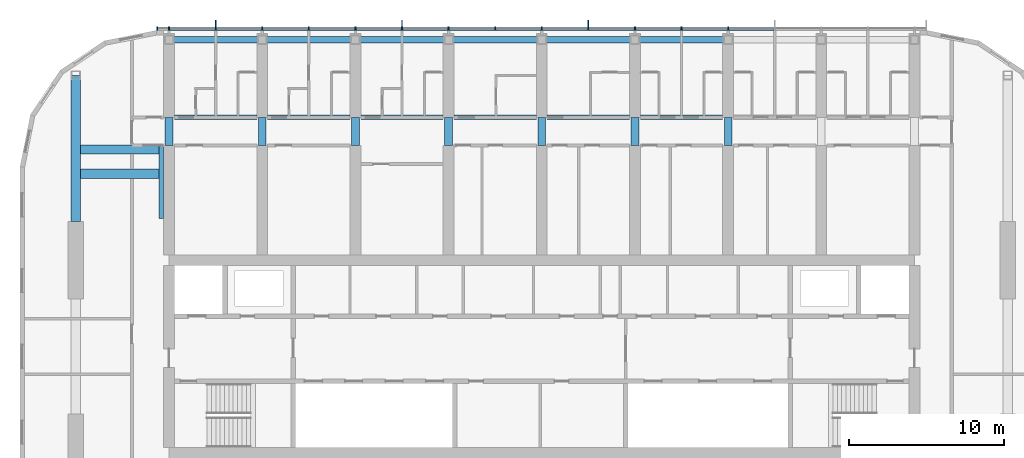
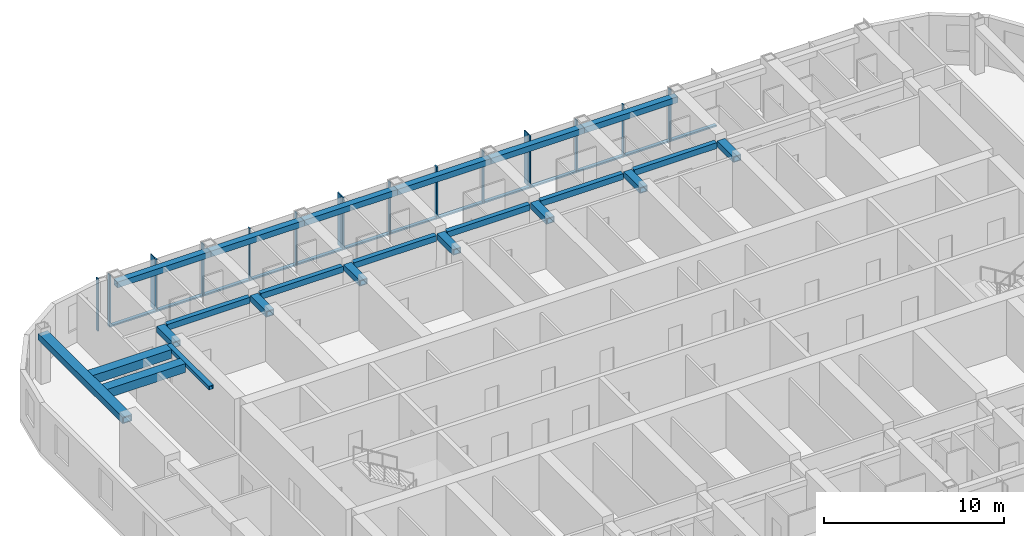
# One storey, part 4 of 24: 30 members, 23 beams, 1 element without a shape of its own.
"""IFC4 building model written with IfcOpenShell, lengths in metres."""

from ifc_helpers import new_model, si_unit, direction, frame, origin, origin_2d, place, context, subcontext, project, spatial, rectangle, hollow_rectangle, extrude, material, material_profile, profile_set, type_object, element, aggregate, save


model = new_model("IFC4")

# Units and contexts
model_context = context("Model", 3, precision=1e-05, world=origin(), true_north=direction((0.0, 1.0)))
body_context = subcontext(model_context, "Body", "Model", "MODEL_VIEW")
ifc_project = project(units=[si_unit("LENGTHUNIT", "METRE"), si_unit("AREAUNIT", "SQUARE_METRE"), si_unit("VOLUMEUNIT", "CUBIC_METRE"), si_unit("PLANEANGLEUNIT", "RADIAN"), si_unit("MASSUNIT", "GRAM", prefix="KILO")], contexts=[model_context])

# Site, building, storey
site_placement = place(None, origin())
site = spatial("IfcSite", under=ifc_project, at=site_placement, CompositionType="ELEMENT")
building_placement = place(site_placement, origin())
building = spatial("IfcBuilding", under=site, at=building_placement, Name="Orbita Commons", CompositionType="ELEMENT")
storey_placement = place(building_placement, frame((0.0, 0.0, 242.800048828125)))
storey = spatial("IfcBuildingStorey", under=building, at=storey_placement, Name="L60", CompositionType="ELEMENT", Elevation=242.800048828125)

# Curtain wall, members
ifc_material_1 = material(Name="Anodised aluminium frame, pale silver", Category="aluminium")
curtain_wall_type = type_object("IfcCurtainWallType", Name="Unitised curtain wall CW-U, full-height vision", PredefinedType="NOTDEFINED", material=ifc_material_1)
curtain_wall_placement = place(storey_placement, origin())
curtain_wall = element("IfcCurtainWall", 1, at=curtain_wall_placement, inside=storey, type_object=curtain_wall_type, Name="Curtain wall north L60", PredefinedType="NOTDEFINED")
ifc_material_2 = material(Name="Anodised aluminium, pale silver", Category="aluminium")
ifc_material_profile_1 = material_profile(ifc_material_2, rectangle(XDim=0.080078125, YDim=0.219970703125, at=origin_2d()), Name="AL 80x220")
ifc_profile_set_1 = profile_set([ifc_material_profile_1], Name="Anodised aluminium, pale silver")
member_type_1 = type_object("IfcMemberType", Name="Curtain wall mullion 80x220", PredefinedType="MULLION", material=ifc_profile_set_1)
member_1_placement = place(storey_placement, frame((54.0, 53.110107421875, -0.25), z_axis=(0.0, 0.0, 1.0), x_axis=(-1.0, 0.0, 0.0)))
member_1 = element("IfcMember", 2, at=member_1_placement, type_object=member_type_1, Name="Mullion 6 CW-L60-N", PredefinedType="MULLION", context=body_context, shape_type="SweptSolid", body=[
    extrude(rectangle(XDim=0.080078125, YDim=0.219970703125, at=origin_2d()), origin(), (0.0, 0.0, 1.0), 3.550048828125),
])
member_2_placement = place(storey_placement, frame((51.0, 53.110107421875, -0.25), z_axis=(0.0, 0.0, 1.0), x_axis=(-1.0, 0.0, 0.0)))
member_2 = element("IfcMember", 3, at=member_2_placement, type_object=member_type_1, Name="Mullion 7 CW-L60-N", PredefinedType="MULLION", context=body_context, shape_type="SweptSolid", body=[
    extrude(rectangle(XDim=0.080078125, YDim=0.219970703125, at=origin_2d()), origin(), (0.0, 0.0, 1.0), 3.550048828125),
])
member_3_placement = place(storey_placement, frame((48.0, 53.110107421875, -0.25), z_axis=(0.0, 0.0, 1.0), x_axis=(-1.0, 0.0, 0.0)))
member_3 = element("IfcMember", 4, at=member_3_placement, type_object=member_type_1, Name="Mullion 8 CW-L60-N", PredefinedType="MULLION", context=body_context, shape_type="SweptSolid", body=[
    extrude(rectangle(XDim=0.080078125, YDim=0.219970703125, at=origin_2d()), origin(), (0.0, 0.0, 1.0), 3.550048828125),
])
member_4_placement = place(storey_placement, frame((45.0, 53.110107421875, -0.25), z_axis=(0.0, 0.0, 1.0), x_axis=(-1.0, 0.0, 0.0)))
member_4 = element("IfcMember", 5, at=member_4_placement, type_object=member_type_1, Name="Mullion 9 CW-L60-N", PredefinedType="MULLION", context=body_context, shape_type="SweptSolid", body=[
    extrude(rectangle(XDim=0.080078125, YDim=0.219970703125, at=origin_2d()), origin(), (0.0, 0.0, 1.0), 3.550048828125),
])
member_5_placement = place(storey_placement, frame((42.0, 53.110107421875, -0.25), z_axis=(0.0, 0.0, 1.0), x_axis=(-1.0, 0.0, 0.0)))
member_5 = element("IfcMember", 6, at=member_5_placement, type_object=member_type_1, Name="Mullion 10 CW-L60-N", PredefinedType="MULLION", context=body_context, shape_type="SweptSolid", body=[
    extrude(rectangle(XDim=0.080078125, YDim=0.219970703125, at=origin_2d()), origin(), (0.0, 0.0, 1.0), 3.550048828125),
])
member_6_placement = place(storey_placement, frame((39.0, 53.110107421875, -0.25), z_axis=(0.0, 0.0, 1.0), x_axis=(-1.0, 0.0, 0.0)))
member_6 = element("IfcMember", 7, at=member_6_placement, type_object=member_type_1, Name="Mullion 11 CW-L60-N", PredefinedType="MULLION", context=body_context, shape_type="SweptSolid", body=[
    extrude(rectangle(XDim=0.080078125, YDim=0.219970703125, at=origin_2d()), origin(), (0.0, 0.0, 1.0), 3.550048828125),
])
member_7_placement = place(storey_placement, frame((36.0, 53.110107421875, -0.25), z_axis=(0.0, 0.0, 1.0), x_axis=(-1.0, 0.0, 0.0)))
member_7 = element("IfcMember", 8, at=member_7_placement, type_object=member_type_1, Name="Mullion 12 CW-L60-N", PredefinedType="MULLION", context=body_context, shape_type="SweptSolid", body=[
    extrude(rectangle(XDim=0.080078125, YDim=0.219970703125, at=origin_2d()), origin(), (0.0, 0.0, 1.0), 3.550048828125),
])
member_8_placement = place(storey_placement, frame((33.0, 53.110107421875, -0.25), z_axis=(0.0, 0.0, 1.0), x_axis=(-1.0, 0.0, 0.0)))
member_8 = element("IfcMember", 9, at=member_8_placement, type_object=member_type_1, Name="Mullion 13 CW-L60-N", PredefinedType="MULLION", context=body_context, shape_type="SweptSolid", body=[
    extrude(rectangle(XDim=0.080078125, YDim=0.219970703125, at=origin_2d()), origin(), (0.0, 0.0, 1.0), 3.550048828125),
])
member_9_placement = place(storey_placement, frame((30.0, 53.110107421875, -0.25), z_axis=(0.0, 0.0, 1.0), x_axis=(-1.0, 0.0, 0.0)))
member_9 = element("IfcMember", 10, at=member_9_placement, type_object=member_type_1, Name="Mullion 14 CW-L60-N", PredefinedType="MULLION", context=body_context, shape_type="SweptSolid", body=[
    extrude(rectangle(XDim=0.080078125, YDim=0.219970703125, at=origin_2d()), origin(), (0.0, 0.0, 1.0), 3.550048828125),
])
member_10_placement = place(storey_placement, frame((27.0, 53.110107421875, -0.25), z_axis=(0.0, 0.0, 1.0), x_axis=(-1.0, 0.0, 0.0)))
member_10 = element("IfcMember", 11, at=member_10_placement, type_object=member_type_1, Name="Mullion 15 CW-L60-N", PredefinedType="MULLION", context=body_context, shape_type="SweptSolid", body=[
    extrude(rectangle(XDim=0.080078125, YDim=0.219970703125, at=origin_2d()), origin(), (0.0, 0.0, 1.0), 3.550048828125),
])
member_11_placement = place(storey_placement, frame((24.0, 53.110107421875, -0.25), z_axis=(0.0, 0.0, 1.0), x_axis=(-1.0, 0.0, 0.0)))
member_11 = element("IfcMember", 12, at=member_11_placement, type_object=member_type_1, Name="Mullion 16 CW-L60-N", PredefinedType="MULLION", context=body_context, shape_type="SweptSolid", body=[
    extrude(rectangle(XDim=0.080078125, YDim=0.219970703125, at=origin_2d()), origin(), (0.0, 0.0, 1.0), 3.550048828125),
])
member_12_placement = place(storey_placement, frame((21.0, 53.110107421875, -0.25), z_axis=(0.0, 0.0, 1.0), x_axis=(-1.0, 0.0, 0.0)))
member_12 = element("IfcMember", 13, at=member_12_placement, type_object=member_type_1, Name="Mullion 17 CW-L60-N", PredefinedType="MULLION", context=body_context, shape_type="SweptSolid", body=[
    extrude(rectangle(XDim=0.080078125, YDim=0.219970703125, at=origin_2d()), origin(), (0.0, 0.0, 1.0), 3.550048828125),
])
member_13_placement = place(storey_placement, frame((18.0, 53.110107421875, -0.25), z_axis=(0.0, 0.0, 1.0), x_axis=(-1.0, 0.0, 0.0)))
member_13 = element("IfcMember", 14, at=member_13_placement, type_object=member_type_1, Name="Mullion 18 CW-L60-N", PredefinedType="MULLION", context=body_context, shape_type="SweptSolid", body=[
    extrude(rectangle(XDim=0.080078125, YDim=0.219970703125, at=origin_2d()), origin(), (0.0, 0.0, 1.0), 3.550048828125),
])
member_14_placement = place(storey_placement, frame((17.239990234375, 53.110107421875, -0.25), z_axis=(0.0, 0.0, 1.0), x_axis=(-1.0, 0.0, 0.0)))
member_14 = element("IfcMember", 15, at=member_14_placement, type_object=member_type_1, Name="Mullion 19 CW-L60-N", PredefinedType="MULLION", context=body_context, shape_type="SweptSolid", body=[
    extrude(rectangle(XDim=0.080078125, YDim=0.219970703125, at=origin_2d()), origin(), (0.0, 0.0, 1.0), 3.550048828125),
])
ifc_material_3 = material(Name="Anodised aluminium, pale silver", Category="aluminium")
ifc_material_profile_2 = material_profile(ifc_material_3, rectangle(XDim=0.219970703125, YDim=0.10009765625, at=origin_2d()), Name="AL 220x100")
ifc_profile_set_2 = profile_set([ifc_material_profile_2], Name="Anodised aluminium, pale silver")
member_type_2 = type_object("IfcMemberType", Name="Curtain wall stack transom 220x100", PredefinedType="USERDEFINED", material=ifc_profile_set_2)
member_15_placement = place(storey_placement, frame((56.9599609375, 53.110107421875, -0.199951171875), z_axis=(-1.0, 0.0, 0.0), x_axis=(0.0, -1.0, 0.0)))
member_15 = element("IfcMember", 16, at=member_15_placement, type_object=member_type_2, Name="Transom 5.1 CW-L60-N", ObjectType="TRANSOM", PredefinedType="USERDEFINED", context=body_context, shape_type="SweptSolid", body=[
    extrude(rectangle(XDim=0.219970703125, YDim=0.10009765625, at=origin_2d()), origin(), (0.0, 0.0, 1.0), 2.919921875),
])
member_16_placement = place(storey_placement, frame((53.9599609375, 53.110107421875, -0.199951171875), z_axis=(-1.0, 0.0, 0.0), x_axis=(0.0, -1.0, 0.0)))
member_16 = element("IfcMember", 17, at=member_16_placement, type_object=member_type_2, Name="Transom 6.1 CW-L60-N", ObjectType="TRANSOM", PredefinedType="USERDEFINED", context=body_context, shape_type="SweptSolid", body=[
    extrude(rectangle(XDim=0.219970703125, YDim=0.10009765625, at=origin_2d()), origin(), (0.0, 0.0, 1.0), 2.919921875),
])
member_17_placement = place(storey_placement, frame((50.9599609375, 53.110107421875, -0.199951171875), z_axis=(-1.0, 0.0, 0.0), x_axis=(0.0, -1.0, 0.0)))
member_17 = element("IfcMember", 18, at=member_17_placement, type_object=member_type_2, Name="Transom 7.1 CW-L60-N", ObjectType="TRANSOM", PredefinedType="USERDEFINED", context=body_context, shape_type="SweptSolid", body=[
    extrude(rectangle(XDim=0.219970703125, YDim=0.10009765625, at=origin_2d()), origin(), (0.0, 0.0, 1.0), 2.919921875),
])
member_18_placement = place(storey_placement, frame((47.9599609375, 53.110107421875, -0.199951171875), z_axis=(-1.0, 0.0, 0.0), x_axis=(0.0, -1.0, 0.0)))
member_18 = element("IfcMember", 19, at=member_18_placement, type_object=member_type_2, Name="Transom 8.1 CW-L60-N", ObjectType="TRANSOM", PredefinedType="USERDEFINED", context=body_context, shape_type="SweptSolid", body=[
    extrude(rectangle(XDim=0.219970703125, YDim=0.10009765625, at=origin_2d()), origin(), (0.0, 0.0, 1.0), 2.919921875),
])
member_19_placement = place(storey_placement, frame((44.9599609375, 53.110107421875, -0.199951171875), z_axis=(-1.0, 0.0, 0.0), x_axis=(0.0, -1.0, 0.0)))
member_19 = element("IfcMember", 20, at=member_19_placement, type_object=member_type_2, Name="Transom 9.1 CW-L60-N", ObjectType="TRANSOM", PredefinedType="USERDEFINED", context=body_context, shape_type="SweptSolid", body=[
    extrude(rectangle(XDim=0.219970703125, YDim=0.10009765625, at=origin_2d()), origin(), (0.0, 0.0, 1.0), 2.919921875),
])
member_20_placement = place(storey_placement, frame((41.9599609375, 53.110107421875, -0.199951171875), z_axis=(-1.0, 0.0, 0.0), x_axis=(0.0, -1.0, 0.0)))
member_20 = element("IfcMember", 21, at=member_20_placement, type_object=member_type_2, Name="Transom 10.1 CW-L60-N", ObjectType="TRANSOM", PredefinedType="USERDEFINED", context=body_context, shape_type="SweptSolid", body=[
    extrude(rectangle(XDim=0.219970703125, YDim=0.10009765625, at=origin_2d()), origin(), (0.0, 0.0, 1.0), 2.919921875),
])
member_21_placement = place(storey_placement, frame((38.9599609375, 53.110107421875, -0.199951171875), z_axis=(-1.0, 0.0, 0.0), x_axis=(0.0, -1.0, 0.0)))
member_21 = element("IfcMember", 22, at=member_21_placement, type_object=member_type_2, Name="Transom 11.1 CW-L60-N", ObjectType="TRANSOM", PredefinedType="USERDEFINED", context=body_context, shape_type="SweptSolid", body=[
    extrude(rectangle(XDim=0.219970703125, YDim=0.10009765625, at=origin_2d()), origin(), (0.0, 0.0, 1.0), 2.919921875),
])
member_22_placement = place(storey_placement, frame((35.9599609375, 53.110107421875, -0.199951171875), z_axis=(-1.0, 0.0, 0.0), x_axis=(0.0, -1.0, 0.0)))
member_22 = element("IfcMember", 23, at=member_22_placement, type_object=member_type_2, Name="Transom 12.1 CW-L60-N", ObjectType="TRANSOM", PredefinedType="USERDEFINED", context=body_context, shape_type="SweptSolid", body=[
    extrude(rectangle(XDim=0.219970703125, YDim=0.10009765625, at=origin_2d()), origin(), (0.0, 0.0, 1.0), 2.919921875),
])
member_23_placement = place(storey_placement, frame((32.9599609375, 53.110107421875, -0.199951171875), z_axis=(-1.0, 0.0, 0.0), x_axis=(0.0, -1.0, 0.0)))
member_23 = element("IfcMember", 24, at=member_23_placement, type_object=member_type_2, Name="Transom 13.1 CW-L60-N", ObjectType="TRANSOM", PredefinedType="USERDEFINED", context=body_context, shape_type="SweptSolid", body=[
    extrude(rectangle(XDim=0.219970703125, YDim=0.10009765625, at=origin_2d()), origin(), (0.0, 0.0, 1.0), 2.919921875),
])
member_24_placement = place(storey_placement, frame((29.9599609375, 53.110107421875, -0.199951171875), z_axis=(-1.0, 0.0, 0.0), x_axis=(0.0, -1.0, 0.0)))
member_24 = element("IfcMember", 25, at=member_24_placement, type_object=member_type_2, Name="Transom 14.1 CW-L60-N", ObjectType="TRANSOM", PredefinedType="USERDEFINED", context=body_context, shape_type="SweptSolid", body=[
    extrude(rectangle(XDim=0.219970703125, YDim=0.10009765625, at=origin_2d()), origin(), (0.0, 0.0, 1.0), 2.919921875),
])
member_25_placement = place(storey_placement, frame((26.9599609375, 53.110107421875, -0.199951171875), z_axis=(-1.0, 0.0, 0.0), x_axis=(0.0, -1.0, 0.0)))
member_25 = element("IfcMember", 26, at=member_25_placement, type_object=member_type_2, Name="Transom 15.1 CW-L60-N", ObjectType="TRANSOM", PredefinedType="USERDEFINED", context=body_context, shape_type="SweptSolid", body=[
    extrude(rectangle(XDim=0.219970703125, YDim=0.10009765625, at=origin_2d()), origin(), (0.0, 0.0, 1.0), 2.919921875),
])
member_26_placement = place(storey_placement, frame((23.9599609375, 53.110107421875, -0.199951171875), z_axis=(-1.0, 0.0, 0.0), x_axis=(0.0, -1.0, 0.0)))
member_26 = element("IfcMember", 27, at=member_26_placement, type_object=member_type_2, Name="Transom 16.1 CW-L60-N", ObjectType="TRANSOM", PredefinedType="USERDEFINED", context=body_context, shape_type="SweptSolid", body=[
    extrude(rectangle(XDim=0.219970703125, YDim=0.10009765625, at=origin_2d()), origin(), (0.0, 0.0, 1.0), 2.919921875),
])
member_27_placement = place(storey_placement, frame((20.9599609375, 53.110107421875, -0.199951171875), z_axis=(-1.0, 0.0, 0.0), x_axis=(0.0, -1.0, 0.0)))
member_27 = element("IfcMember", 28, at=member_27_placement, type_object=member_type_2, Name="Transom 17.1 CW-L60-N", ObjectType="TRANSOM", PredefinedType="USERDEFINED", context=body_context, shape_type="SweptSolid", body=[
    extrude(rectangle(XDim=0.219970703125, YDim=0.10009765625, at=origin_2d()), origin(), (0.0, 0.0, 1.0), 2.919921875),
])

# Beams
ifc_material_4 = material(Name="Steel ASTM A572 Gr 50 welded plate", Category="steel")
ifc_material_profile_3 = material_profile(ifc_material_4, hollow_rectangle(XDim=0.60009765625, YDim=0.60009765625, WallThickness=0.06005859375, at=origin_2d()), Name="BOX 600x600x60")
ifc_profile_set_3 = profile_set([ifc_material_profile_3], Name="Steel ASTM A572 Gr 50 welded plate")
beam_type_1 = type_object("IfcBeamType", Name="Stair trimmer beam BOX 600x600x60", PredefinedType="BEAM", material=ifc_profile_set_3)
for number, where, z_axis, x_axis, name in (
    (29, (12.300048828125, 43.77490234375, 3.0), (1.0, 0.0, 0.0), (0.0, 1.0, 0.0), "Neighbourhood stair L61 to L62 transfer beam 1"),
    (30, (12.300048828125, 45.3349609375, 3.0), (1.0, 0.0, 0.0), (0.0, 1.0, 0.0), "Neighbourhood stair L61 to L62 transfer beam 2"),
):
    element("IfcBeam", number, at=place(storey_placement, frame(where, z_axis=z_axis, x_axis=x_axis)), inside=storey, type_object=beam_type_1, Name=name, PredefinedType="BEAM", context=body_context, shape_type="SweptSolid", body=[
        extrude(hollow_rectangle(XDim=0.60009765625, YDim=0.60009765625, WallThickness=0.06005859375, at=origin_2d()), origin(), (0.0, 0.0, 1.0), 5.050048828125),
    ])
ifc_material_5 = material(Name="Steel ASTM A572 Gr 50 welded plate", Category="steel")
ifc_material_profile_4 = material_profile(ifc_material_5, hollow_rectangle(XDim=0.300048828125, YDim=0.39990234375, WallThickness=0.0400390625, at=origin_2d()), Name="BOX 400x300x40")
ifc_profile_set_4 = profile_set([ifc_material_profile_4], Name="Steel ASTM A572 Gr 50 welded plate")
beam_type_2 = type_object("IfcBeamType", Name="Steel corridor link BOX 400x300x40", PredefinedType="BEAM", material=ifc_profile_set_4)
for number, where, z_axis, x_axis, name in (
    (31, (18.35009765625, 47.39990234375, 3.099853515625), (1.0, 0.0, 0.0), (0.0, 1.0, 0.0), "Corridor beam NB 4-5 L60"),
    (32, (24.35009765625, 47.39990234375, 3.099853515625), (1.0, 0.0, 0.0), (0.0, 1.0, 0.0), "Corridor beam NB 5-6 L60"),
    (33, (30.35009765625, 47.39990234375, 3.099853515625), (1.0, 0.0, 0.0), (0.0, 1.0, 0.0), "Corridor beam NB 6-7 L60"),
    (34, (36.35009765625, 47.39990234375, 3.099853515625), (1.0, 0.0, 0.0), (0.0, 1.0, 0.0), "Corridor beam NB 7-8 L60"),
    (35, (42.35009765625, 47.39990234375, 3.099853515625), (1.0, 0.0, 0.0), (0.0, 1.0, 0.0), "Corridor beam NB 8-9 L60"),
    (36, (48.35009765625, 47.39990234375, 3.099853515625), (1.0, 0.0, 0.0), (0.0, 1.0, 0.0), "Corridor beam NB 9-10 L60"),
):
    element("IfcBeam", number, at=place(storey_placement, frame(where, z_axis=z_axis, x_axis=x_axis)), inside=storey, type_object=beam_type_2, Name=name, PredefinedType="BEAM", context=body_context, shape_type="SweptSolid", body=[
        extrude(hollow_rectangle(XDim=0.300048828125, YDim=0.39990234375, WallThickness=0.0400390625, at=origin_2d()), origin(), (0.0, 0.0, 1.0), 5.2998046875),
    ])
ifc_material_6 = material(Name="Steel ASTM A572 Gr 50 welded plate", Category="steel")
ifc_material_profile_5 = material_profile(ifc_material_6, hollow_rectangle(XDim=0.5, YDim=0.39990234375, WallThickness=0.050048828125, at=origin_2d()), Name="BOX 400x500x50")
ifc_profile_set_5 = profile_set([ifc_material_profile_5], Name="Steel ASTM A572 Gr 50 welded plate")
beam_type_3 = type_object("IfcBeamType", Name="Steel coupling link BOX 400x500x50", PredefinedType="LINTEL", material=ifc_profile_set_5)
for number, where, z_axis, x_axis, name in (
    (37, (18.0, 45.60009765625, 3.099853515625), (0.0, 1.0, 0.0), (-1.0, 0.0, 0.0), "Coupling beam 4 north L60"),
    (38, (24.0, 45.60009765625, 3.099853515625), (0.0, 1.0, 0.0), (-1.0, 0.0, 0.0), "Coupling beam 5 north L60"),
    (39, (30.0, 45.60009765625, 3.099853515625), (0.0, 1.0, 0.0), (-1.0, 0.0, 0.0), "Coupling beam 6 north L60"),
    (40, (36.0, 45.60009765625, 3.099853515625), (0.0, 1.0, 0.0), (-1.0, 0.0, 0.0), "Coupling beam 7 north L60"),
    (41, (42.0, 45.60009765625, 3.099853515625), (0.0, 1.0, 0.0), (-1.0, 0.0, 0.0), "Coupling beam 8 north L60"),
    (42, (48.0, 45.60009765625, 3.099853515625), (0.0, 1.0, 0.0), (-1.0, 0.0, 0.0), "Coupling beam 9 north L60"),
    (43, (54.0, 45.60009765625, 3.099853515625), (0.0, 1.0, 0.0), (-1.0, 0.0, 0.0), "Coupling beam 10 north L60"),
):
    element("IfcBeam", number, at=place(storey_placement, frame(where, z_axis=z_axis, x_axis=x_axis)), inside=storey, type_object=beam_type_3, Name=name, PredefinedType="LINTEL", context=body_context, shape_type="SweptSolid", body=[
        extrude(hollow_rectangle(XDim=0.5, YDim=0.39990234375, WallThickness=0.050048828125, at=origin_2d()), origin(), (0.0, 0.0, 1.0), 1.7998046875),
    ])
ifc_material_7 = material(Name="Steel ASTM A572 Gr 50 welded plate", Category="steel")
ifc_material_profile_6 = material_profile(ifc_material_7, hollow_rectangle(XDim=0.60009765625, YDim=0.449951171875, WallThickness=0.06005859375, at=origin_2d()), Name="BOX 450x600x60")
ifc_profile_set_6 = profile_set([ifc_material_profile_6], Name="Steel ASTM A572 Gr 50 welded plate")
beam_type_4 = type_object("IfcBeamType", Name="Steel end frame link BOX 450x600x60", PredefinedType="BEAM", material=ifc_profile_set_6)
beam_1_placement = place(storey_placement, frame((12.0, 40.699951171875, 3.074951171875), z_axis=(0.0, 1.0, 0.0), x_axis=(-1.0, 0.0, 0.0)))
element("IfcBeam", 44, at=beam_1_placement, inside=storey, type_object=beam_type_4, Name="End frame beam 3 D-E L60", PredefinedType="BEAM", context=body_context, shape_type="SweptSolid", body=[
    extrude(hollow_rectangle(XDim=0.60009765625, YDim=0.449951171875, WallThickness=0.06005859375, at=origin_2d()), origin(), (0.0, 0.0, 1.0), 9.400146484375),
])
ifc_material_8 = material(Name="Steel ASTM A572 Gr 50 welded plate", Category="steel")
ifc_material_profile_7 = material_profile(ifc_material_8, hollow_rectangle(XDim=0.39990234375, YDim=0.39990234375, WallThickness=0.0400390625, at=origin_2d()), Name="BOX 400x400x40")
ifc_profile_set_7 = profile_set([ifc_material_profile_7], Name="Steel ASTM A572 Gr 50 welded plate")
beam_type_5 = type_object("IfcBeamType", Name="Steel spandrel BOX 400x400x40", PredefinedType="SPANDREL", material=ifc_profile_set_7)
for number, where, z_axis, x_axis, name in (
    (45, (18.0, 52.39990234375, 3.099853515625), (1.0, 0.0, 0.0), (0.0, 1.0, 0.0), "Spandrel beam E 4-5 L60"),
    (46, (24.0, 52.39990234375, 3.099853515625), (1.0, 0.0, 0.0), (0.0, 1.0, 0.0), "Spandrel beam E 5-6 L60"),
    (47, (30.0, 52.39990234375, 3.099853515625), (1.0, 0.0, 0.0), (0.0, 1.0, 0.0), "Spandrel beam E 6-7 L60"),
    (48, (36.0, 52.39990234375, 3.099853515625), (1.0, 0.0, 0.0), (0.0, 1.0, 0.0), "Spandrel beam E 7-8 L60"),
    (49, (42.0, 52.39990234375, 3.099853515625), (1.0, 0.0, 0.0), (0.0, 1.0, 0.0), "Spandrel beam E 8-9 L60"),
    (50, (48.0, 52.39990234375, 3.099853515625), (1.0, 0.0, 0.0), (0.0, 1.0, 0.0), "Spandrel beam E 9-10 L60"),
):
    element("IfcBeam", number, at=place(storey_placement, frame(where, z_axis=z_axis, x_axis=x_axis)), inside=storey, type_object=beam_type_5, Name=name, PredefinedType="SPANDREL", context=body_context, shape_type="SweptSolid", body=[
        extrude(hollow_rectangle(XDim=0.39990234375, YDim=0.39990234375, WallThickness=0.0400390625, at=origin_2d()), origin(), (0.0, 0.0, 1.0), 6.0),
    ])
ifc_material_9 = material(Name="Steel ASTM A572 Gr 50 welded plate", Category="steel")
ifc_material_profile_8 = material_profile(ifc_material_9, hollow_rectangle(XDim=0.300048828125, YDim=0.25, WallThickness=0.02490234375, at=origin_2d()), Name="BOX 250x300x25")
ifc_profile_set_8 = profile_set([ifc_material_profile_8], Name="Steel ASTM A572 Gr 50 welded plate")
beam_type_6 = type_object("IfcBeamType", Name="Trimmer ledger beam BOX 250x300x25", PredefinedType="BEAM", material=ifc_profile_set_8)
beam_2_placement = place(storey_placement, frame((17.5, 40.89990234375, 3.175048828125), z_axis=(0.0, 1.0, 0.0), x_axis=(-1.0, 0.0, 0.0)))
element("IfcBeam", 51, at=beam_2_placement, inside=storey, type_object=beam_type_6, Name="Neighbourhood stair L61 to L62 trimmer ledger 1E", PredefinedType="BEAM", context=body_context, shape_type="SweptSolid", body=[
    extrude(hollow_rectangle(XDim=0.300048828125, YDim=0.25, WallThickness=0.02490234375, at=origin_2d()), origin(), (0.0, 0.0, 1.0), 4.7001953125),
])

# Member
ifc_material_10 = material(Name="Anodised aluminium, pale silver", Category="aluminium")
ifc_material_profile_9 = material_profile(ifc_material_10, rectangle(XDim=0.06005859375, YDim=0.449951171875, at=origin_2d()), Name="FIN 60x450")
ifc_profile_set_9 = profile_set([ifc_material_profile_9], Name="Anodised aluminium, pale silver")
member_type_3 = type_object("IfcMemberType", Name="Vertical fin 60x450 pale aluminium", PredefinedType="USERDEFINED", material=ifc_profile_set_9)
member_28_placement = place(storey_placement, frame((45.0, 53.445068359375, -0.25), z_axis=(0.0, 0.0, 1.0), x_axis=(-1.0, 0.0, 0.0)))
member_28 = element("IfcMember", 52, at=member_28_placement, type_object=member_type_3, Name="Fin 9 CW-L60-N", ObjectType="FIN", PredefinedType="USERDEFINED", context=body_context, shape_type="SweptSolid", body=[
    extrude(rectangle(XDim=0.06005859375, YDim=0.449951171875, at=origin_2d()), origin(), (0.0, 0.0, 1.0), 3.550048828125),
])

member_29_placement = place(storey_placement, frame((33.0, 53.445068359375, -0.25), z_axis=(0.0, 0.0, 1.0), x_axis=(-1.0, 0.0, 0.0)))
member_29 = element("IfcMember", 53, at=member_29_placement, type_object=member_type_3, Name="Fin 13 CW-L60-N", ObjectType="FIN", PredefinedType="USERDEFINED", context=body_context, shape_type="SweptSolid", body=[
    extrude(rectangle(XDim=0.06005859375, YDim=0.449951171875, at=origin_2d()), origin(), (0.0, 0.0, 1.0), 3.550048828125),
])

member_30_placement = place(storey_placement, frame((21.0, 53.445068359375, -0.25), z_axis=(0.0, 0.0, 1.0), x_axis=(-1.0, 0.0, 0.0)))
member_30 = element("IfcMember", 54, at=member_30_placement, type_object=member_type_3, Name="Fin 17 CW-L60-N", ObjectType="FIN", PredefinedType="USERDEFINED", context=body_context, shape_type="SweptSolid", body=[
    extrude(rectangle(XDim=0.06005859375, YDim=0.449951171875, at=origin_2d()), origin(), (0.0, 0.0, 1.0), 3.550048828125),
])

aggregate(curtain_wall, [member_1, member_2, member_3, member_4, member_28, member_5, member_6, member_7, member_8, member_29, member_9, member_10, member_11, member_12, member_30, member_13, member_14, member_15, member_16, member_17, member_18, member_19, member_20, member_21, member_22, member_23, member_24, member_25, member_26, member_27])

save(model, "model.ifc")
